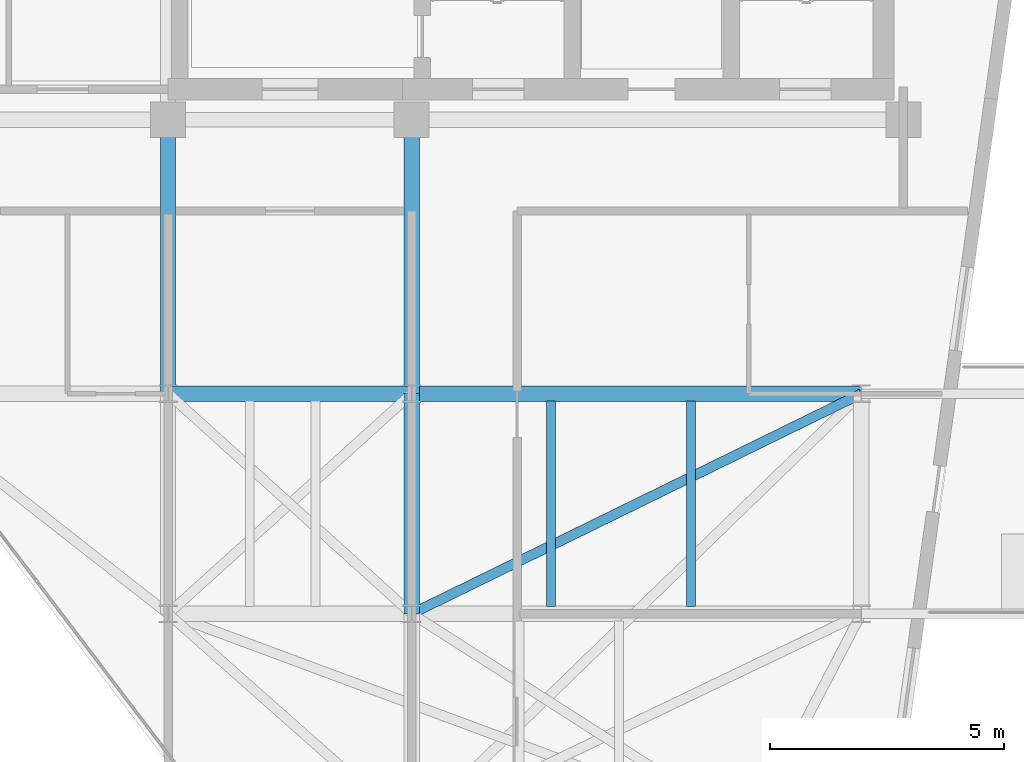
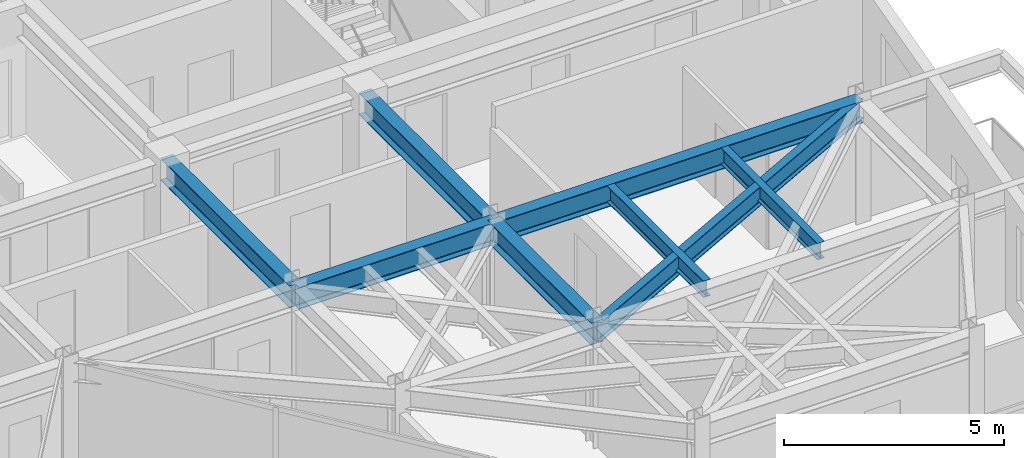
# One storey, part 9 of 17: 8 beams.
"""IFC4 building model written with IfcOpenShell, lengths in metres."""

from ifc_helpers import new_model, si_unit, direction, frame, origin, origin_2d, place, context, subcontext, project, spatial, i_section, extrude, material, material_profile, profile_set, type_object, element, save


model = new_model("IFC4")

# Units and contexts
model_context = context("Model", 3, precision=1e-05, world=origin(), true_north=direction((0.0, 1.0)))
body_context = subcontext(model_context, "Body", "Model", "MODEL_VIEW")
ifc_project = project(units=[si_unit("LENGTHUNIT", "METRE"), si_unit("AREAUNIT", "SQUARE_METRE"), si_unit("VOLUMEUNIT", "CUBIC_METRE"), si_unit("PLANEANGLEUNIT", "RADIAN"), si_unit("MASSUNIT", "GRAM", prefix="KILO")], contexts=[model_context])

# Site, building, storey
site_placement = place(None, origin())
site = spatial("IfcSite", under=ifc_project, at=site_placement, CompositionType="ELEMENT")
building_placement = place(site_placement, origin())
building = spatial("IfcBuilding", under=site, at=building_placement, Name="Kravanh Interchange Tower", CompositionType="ELEMENT")
storey_placement = place(building_placement, frame((0.0, 0.0, 282.300048828125)))
storey = spatial("IfcBuildingStorey", under=building, at=storey_placement, Name="L69", CompositionType="ELEMENT", Elevation=282.300048828125)

# Beams
ifc_material_1 = material(Name="Structural Steel S355", Category="steel")
ifc_material_profile_1 = material_profile(ifc_material_1, i_section(OverallWidth=0.323974609375, OverallDepth=0.611083984375, WebThickness=0.0126953125, FlangeThickness=0.01904296875, FilletRadius=0.02197265625, at=origin_2d()), Name="W24X104")
ifc_profile_set_1 = profile_set([ifc_material_profile_1], Name="Structural Steel S355")
beam_type_1 = type_object("IfcBeamType", Name="Floor Beam W24X104 Structural Steel S355", PredefinedType="BEAM", material=ifc_profile_set_1)
beam_1_placement = place(storey_placement, frame((50.800048828125, 31.5, 3.0595703125), z_axis=(1.0, 0.0, 0.0), x_axis=(0.0, 1.0, 0.0)))
element("IfcBeam", 1, at=beam_1_placement, inside=storey, type_object=beam_type_1, Name="L69 Primary Floor Girder 6", PredefinedType="BEAM", context=body_context, shape_type="SweptSolid", body=[
    extrude(i_section(OverallWidth=0.323974609375, OverallDepth=0.611083984375, WebThickness=0.0126953125, FlangeThickness=0.01904296875, FilletRadius=0.02197265625, at=origin_2d()), origin(), (0.0, 0.0, 1.0), 5.199951171875),
])
beam_2_placement = place(storey_placement, frame((50.800048828125, 31.5, 3.0595703125), z_axis=(0.0, 1.0, 0.0), x_axis=(-1.0, 0.0, 0.0)))
element("IfcBeam", 2, at=beam_2_placement, inside=storey, type_object=beam_type_1, Name="L69 Primary Floor Girder 7", PredefinedType="BEAM", context=body_context, shape_type="SweptSolid", body=[
    extrude(i_section(OverallWidth=0.323974609375, OverallDepth=0.611083984375, WebThickness=0.0126953125, FlangeThickness=0.01904296875, FilletRadius=0.02197265625, at=origin_2d()), origin(), (0.0, 0.0, 1.0), 5.85009765625),
])
beam_3_placement = place(storey_placement, frame((56.0, 31.5, 3.0595703125), z_axis=(0.0, -1.0, 0.0), x_axis=(1.0, 0.0, 0.0)))
element("IfcBeam", 3, at=beam_3_placement, inside=storey, type_object=beam_type_1, Name="L69 Primary Floor Girder 9", PredefinedType="BEAM", context=body_context, shape_type="SweptSolid", body=[
    extrude(i_section(OverallWidth=0.323974609375, OverallDepth=0.611083984375, WebThickness=0.0126953125, FlangeThickness=0.01904296875, FilletRadius=0.02197265625, at=origin_2d()), origin(), (0.0, 0.0, 1.0), 4.699951171875),
])
beam_4_placement = place(storey_placement, frame((56.0, 31.5, 3.0595703125), z_axis=(0.0, 1.0, 0.0), x_axis=(-1.0, 0.0, 0.0)))
element("IfcBeam", 4, at=beam_4_placement, inside=storey, type_object=beam_type_1, Name="L69 Primary Floor Girder 10", PredefinedType="BEAM", context=body_context, shape_type="SweptSolid", body=[
    extrude(i_section(OverallWidth=0.323974609375, OverallDepth=0.611083984375, WebThickness=0.0126953125, FlangeThickness=0.01904296875, FilletRadius=0.02197265625, at=origin_2d()), origin(), (0.0, 0.0, 1.0), 5.85009765625),
])
beam_5_placement = place(storey_placement, frame((56.0, 31.5, 3.0595703125), z_axis=(1.0, 0.0, 0.0), x_axis=(0.0, 1.0, 0.0)))
element("IfcBeam", 5, at=beam_5_placement, inside=storey, type_object=beam_type_1, Name="L69 Primary Floor Girder 12", PredefinedType="BEAM", context=body_context, shape_type="SweptSolid", body=[
    extrude(i_section(OverallWidth=0.323974609375, OverallDepth=0.611083984375, WebThickness=0.0126953125, FlangeThickness=0.01904296875, FilletRadius=0.02197265625, at=origin_2d()), origin(), (0.0, 0.0, 1.0), 9.60009765625),
])
ifc_material_2 = material(Name="Structural Steel S355", Category="steel")
ifc_material_profile_2 = material_profile(ifc_material_2, i_section(OverallWidth=0.18994140625, OverallDepth=0.45703125, WebThickness=0.009033203125, FlangeThickness=0.014404296875, FilletRadius=0.01806640625, at=origin_2d()), Name="W18X50")
ifc_profile_set_2 = profile_set([ifc_material_profile_2], Name="Structural Steel S355")
beam_type_2 = type_object("IfcBeamType", Name="Floor Joist W18X50 Structural Steel S355", PredefinedType="JOIST", material=ifc_profile_set_2)
for number, where, z_axis, x_axis, name in (
    (6, (58.97412109375, 26.95703125, 3.136474609375), (0.0, 1.0, 0.0), (-1.0, 0.0, 0.0), "L69 Secondary Floor Joist 7"),
    (7, (61.9619140625, 26.95703125, 3.136474609375), (0.0, 1.0, 0.0), (-1.0, 0.0, 0.0), "L69 Secondary Floor Joist 8"),
):
    element("IfcBeam", number, at=place(storey_placement, frame(where, z_axis=z_axis, x_axis=x_axis)), inside=storey, type_object=beam_type_2, Name=name, PredefinedType="JOIST", context=body_context, shape_type="SweptSolid", body=[
        extrude(i_section(OverallWidth=0.18994140625, OverallDepth=0.45703125, WebThickness=0.009033203125, FlangeThickness=0.014404296875, FilletRadius=0.01806640625, at=origin_2d()), origin(), (0.0, 0.0, 1.0), 4.385986328125),
    ])
ifc_material_3 = material(Name="Structural Steel S355", Category="steel")
ifc_material_profile_3 = material_profile(ifc_material_3, i_section(OverallWidth=0.2099609375, OverallDepth=0.537109375, WebThickness=0.010986328125, FlangeThickness=0.017333984375, FilletRadius=0.02001953125, at=origin_2d()), Name="W21X68")
ifc_profile_set_3 = profile_set([ifc_material_profile_3], Name="Structural Steel S355")
beam_type_3 = type_object("IfcBeamType", Name="Floor Spandrel W21X68 Structural Steel S355", PredefinedType="SPANDREL", material=ifc_profile_set_3)
beam_6_placement = place(storey_placement, frame((65.60009765625, 31.5, 3.096435546875), z_axis=(-0.898141688387, -0.439706160499, 0.0), x_axis=(0.439706160499, -0.898141688387, 0.0)))
element("IfcBeam", 8, at=beam_6_placement, inside=storey, type_object=beam_type_3, Name="L69 Perimeter Spandrel 15", PredefinedType="SPANDREL", context=body_context, shape_type="SweptSolid", body=[
    extrude(i_section(OverallWidth=0.2099609375, OverallDepth=0.537109375, WebThickness=0.010986328125, FlangeThickness=0.017333984375, FilletRadius=0.02001953125, at=origin_2d()), origin(), (0.0, 0.0, 1.0), 10.68896484375),
])

save(model, "model.ifc")
